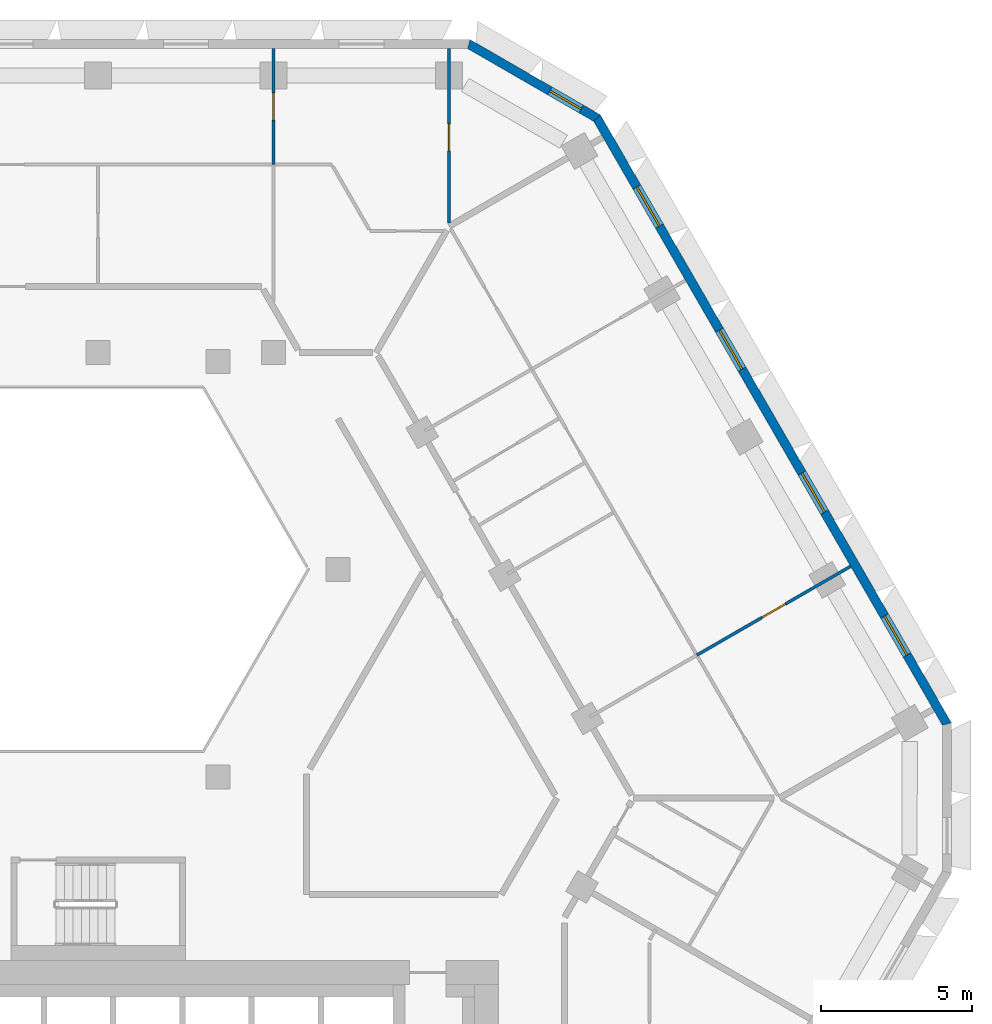
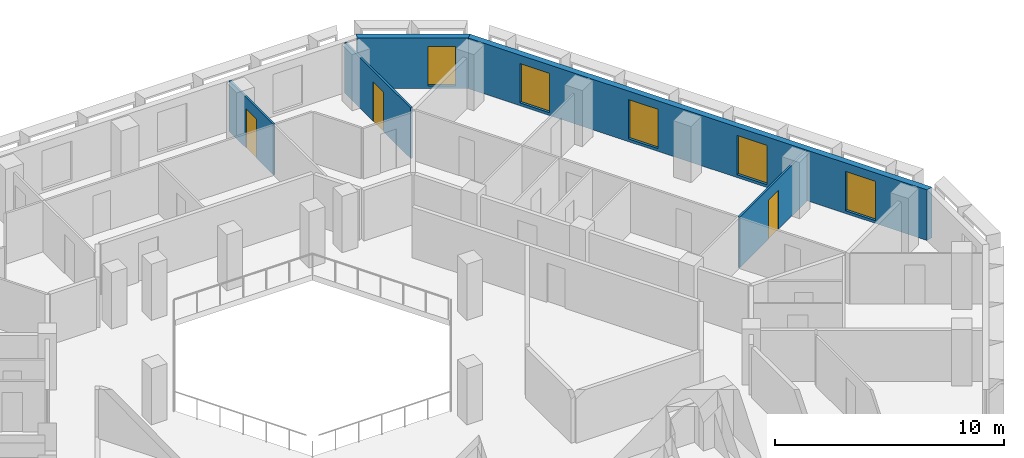
# One storey, part 9 of 15: 5 walls, 5 windows, 3 doors, 8 openings.
"""IFC4 building model written with IfcOpenShell, lengths in metres."""

from ifc_helpers import new_model, si_unit, direction, frame, frame_2d, origin, place, context, subcontext, project, spatial, polyline, rectangle, outline, extrude, material, layer, layer_set, type_object, element, fill, save


model = new_model("IFC4")

# Units and contexts
model_context = context("Model", 3, precision=1e-05, world=origin(), true_north=direction((0.0, 1.0)))
body_context = subcontext(model_context, "Body", "Model", "MODEL_VIEW")
ifc_project = project(units=[si_unit("LENGTHUNIT", "METRE"), si_unit("AREAUNIT", "SQUARE_METRE"), si_unit("VOLUMEUNIT", "CUBIC_METRE"), si_unit("PLANEANGLEUNIT", "RADIAN"), si_unit("MASSUNIT", "GRAM", prefix="KILO")], contexts=[model_context])

# Site, building, storey
site_placement = place(None, origin())
site = spatial("IfcSite", under=ifc_project, at=site_placement, CompositionType="ELEMENT")
building_placement = place(site_placement, origin())
building = spatial("IfcBuilding", under=site, at=building_placement, Name="Beryl Residences", CompositionType="ELEMENT")
storey_placement = place(building_placement, frame((0.0, 0.0, 141.60009765625)))
storey = spatial("IfcBuildingStorey", under=building, at=storey_placement, Name="L43", CompositionType="ELEMENT", Elevation=141.60009765625)

# Wall, openings, windows
ifc_material_1 = material(Name="Composite metal panel with mineral wool insulation")
ifc_layer_1 = layer(ifc_material_1, 0.300048828125)
ifc_layer_set_1 = layer_set([ifc_layer_1], Name="ES1 pale metal composite panel wall 300 mm")
wall_type_1 = type_object("IfcWallType", Name="ES1 pale metal composite panel wall 300 mm", PredefinedType="SOLIDWALL", material=ifc_layer_set_1)
wall_1_placement = place(storey_placement, frame((28.218017578125, 2.824951171875, 0.0), z_axis=(0.0, 0.0, 1.0), x_axis=(-0.500020536353, 0.866013546791, 0.0)))
wall_1 = element("IfcWall", 1, at=wall_1_placement, inside=storey, type_object=wall_type_1, Name="ES1 external wall L43 NE", PredefinedType="SOLIDWALL", context=body_context, shape_type="SweptSolid", body=[
    extrude(outline(polyline([(0.0, -0.14990234375), (23.3251953125, -0.14990234375), (23.244873046875, 0.14990234375), (0.080322265625, 0.14990234375), (0.0, -0.14990234375)])), origin(), (0.0, 0.0, 1.0), 2.699951171875),
])
opening_1_placement = place(wall_1_placement, frame((2.68505859375, 0.0, 0.14990234375)))
opening_1 = element("IfcOpeningElement", 2, at=opening_1_placement, cuts=wall_1, Name="Opening W1", PredefinedType="OPENING", context=body_context, shape_type="SweptSolid", body=[
    extrude(rectangle(XDim=1.5, YDim=2.10009765625, at=frame_2d((0.75, 1.050048828125))), frame((0.0, 0.159912109375, 0.0), z_axis=(0.0, -1.0, 0.0), x_axis=(1.0, 0.0, 0.0)), (0.0, 0.0, 1.0), 0.320068359375),
])
opening_2_placement = place(wall_1_placement, frame((8.169921875, 0.0, 0.14990234375)))
opening_2 = element("IfcOpeningElement", 3, at=opening_2_placement, cuts=wall_1, Name="Opening W1", PredefinedType="OPENING", context=body_context, shape_type="SweptSolid", body=[
    extrude(rectangle(XDim=1.5, YDim=2.10009765625, at=frame_2d((0.75, 1.050048828125))), frame((0.0, 0.159912109375, 0.0), z_axis=(0.0, -1.0, 0.0), x_axis=(1.0, 0.0, 0.0)), (0.0, 0.0, 1.0), 0.320068359375),
])
opening_3_placement = place(wall_1_placement, frame((13.655029296875, 0.0, 0.14990234375)))
opening_3 = element("IfcOpeningElement", 4, at=opening_3_placement, cuts=wall_1, Name="Opening W1", PredefinedType="OPENING", context=body_context, shape_type="SweptSolid", body=[
    extrude(rectangle(XDim=1.5, YDim=2.10009765625, at=frame_2d((0.75, 1.050048828125))), frame((0.0, 0.159912109375, 0.0), z_axis=(0.0, -1.0, 0.0), x_axis=(1.0, 0.0, 0.0)), (0.0, 0.0, 1.0), 0.320068359375),
])
opening_4_placement = place(wall_1_placement, frame((19.139892578125, 0.0, 0.14990234375)))
opening_4 = element("IfcOpeningElement", 5, at=opening_4_placement, cuts=wall_1, Name="Opening W1", PredefinedType="OPENING", context=body_context, shape_type="SweptSolid", body=[
    extrude(rectangle(XDim=1.5, YDim=2.10009765625, at=frame_2d((0.75, 1.050048828125))), frame((0.0, 0.159912109375, 0.0), z_axis=(0.0, -1.0, 0.0), x_axis=(1.0, 0.0, 0.0)), (0.0, 0.0, 1.0), 0.320068359375),
])
ifc_material_2 = material(Name="Aluminium and clear glass", Category="aluminium")
window_type_1 = type_object("IfcWindowType", Name="W1 cell window 1500 x 2100 mm", PartitioningType="SINGLE_PANEL", PredefinedType="WINDOW", material=ifc_material_2)
window_1_placement = place(opening_1_placement, origin())
window_1 = element("IfcWindow", 6, at=window_1_placement, inside=storey, type_object=window_type_1, Name="W1 window L43 NE 2", OverallHeight=2.10009765625, OverallWidth=1.5, PartitioningType="SINGLE_PANEL", PredefinedType="WINDOW", context=body_context, shape_type="SweptSolid", body=[
    extrude(rectangle(XDim=1.5, YDim=2.10009765625, at=frame_2d((0.75, 1.050048828125))), frame((0.0, 0.030029296875, 0.0), z_axis=(0.0, -1.0, 0.0), x_axis=(1.0, 0.0, 0.0)), (0.0, 0.0, 1.0), 0.06005859375),
])
fill(opening_1, window_1)
window_2_placement = place(opening_2_placement, origin())
window_2 = element("IfcWindow", 7, at=window_2_placement, inside=storey, type_object=window_type_1, Name="W1 window L43 NE 4", OverallHeight=2.10009765625, OverallWidth=1.5, PartitioningType="SINGLE_PANEL", PredefinedType="WINDOW", context=body_context, shape_type="SweptSolid", body=[
    extrude(rectangle(XDim=1.5, YDim=2.10009765625, at=frame_2d((0.75, 1.050048828125))), frame((0.0, 0.030029296875, 0.0), z_axis=(0.0, -1.0, 0.0), x_axis=(1.0, 0.0, 0.0)), (0.0, 0.0, 1.0), 0.06005859375),
])
fill(opening_2, window_2)
window_3_placement = place(opening_3_placement, origin())
window_3 = element("IfcWindow", 8, at=window_3_placement, inside=storey, type_object=window_type_1, Name="W1 window L43 NE 6", OverallHeight=2.10009765625, OverallWidth=1.5, PartitioningType="SINGLE_PANEL", PredefinedType="WINDOW", context=body_context, shape_type="SweptSolid", body=[
    extrude(rectangle(XDim=1.5, YDim=2.10009765625, at=frame_2d((0.75, 1.050048828125))), frame((0.0, 0.030029296875, 0.0), z_axis=(0.0, -1.0, 0.0), x_axis=(1.0, 0.0, 0.0)), (0.0, 0.0, 1.0), 0.06005859375),
])
fill(opening_3, window_3)
window_4_placement = place(opening_4_placement, origin())
window_4 = element("IfcWindow", 9, at=window_4_placement, inside=storey, type_object=window_type_1, Name="W1 window L43 NE 8", OverallHeight=2.10009765625, OverallWidth=1.5, PartitioningType="SINGLE_PANEL", PredefinedType="WINDOW", context=body_context, shape_type="SweptSolid", body=[
    extrude(rectangle(XDim=1.5, YDim=2.10009765625, at=frame_2d((0.75, 1.050048828125))), frame((0.0, 0.030029296875, 0.0), z_axis=(0.0, -1.0, 0.0), x_axis=(1.0, 0.0, 0.0)), (0.0, 0.0, 1.0), 0.06005859375),
])
fill(opening_4, window_4)

# Wall, opening, window
wall_2_placement = place(storey_placement, frame((16.610107421875, 22.969970703125, 0.0), z_axis=(0.0, 0.0, 1.0), x_axis=(-0.866022959057, 0.500004234368, 0.0)))
wall_2 = element("IfcWall", 10, at=wall_2_placement, inside=storey, type_object=wall_type_1, Name="ES1 external wall L43 NE-N", PredefinedType="SOLIDWALL", context=body_context, shape_type="SweptSolid", body=[
    extrude(outline(polyline([(0.0, -0.14990234375), (5.0, -0.14990234375), (4.919677734375, 0.14990234375), (0.080322265625, 0.14990234375), (0.0, -0.14990234375)])), origin(), (0.0, 0.0, 1.0), 2.699951171875),
])
opening_5_placement = place(wall_2_placement, frame((0.64990234375, 0.0, 0.14990234375)))
opening_5 = element("IfcOpeningElement", 11, at=opening_5_placement, cuts=wall_2, Name="Opening W2", PredefinedType="OPENING", context=body_context, shape_type="SweptSolid", body=[
    extrude(rectangle(XDim=1.199951171875, YDim=2.10009765625, at=frame_2d((0.60009765625, 1.050048828125))), frame((0.0, 0.159912109375, 0.0), z_axis=(0.0, -1.0, 0.0), x_axis=(1.0, 0.0, 0.0)), (0.0, 0.0, 1.0), 0.320068359375),
])
ifc_material_3 = material(Name="Aluminium and clear glass", Category="aluminium")
window_type_2 = type_object("IfcWindowType", Name="W2 chamfer window 1200 x 2100 mm", PartitioningType="SINGLE_PANEL", PredefinedType="WINDOW", material=ifc_material_3)
window_5_placement = place(opening_5_placement, origin())
window_5 = element("IfcWindow", 12, at=window_5_placement, inside=storey, type_object=window_type_2, Name="W2 window L43 NE-N 1", OverallHeight=2.10009765625, OverallWidth=1.199951171875, PartitioningType="SINGLE_PANEL", PredefinedType="WINDOW", context=body_context, shape_type="SweptSolid", body=[
    extrude(rectangle(XDim=1.199951171875, YDim=2.10009765625, at=frame_2d((0.60009765625, 1.050048828125))), frame((0.0, 0.030029296875, 0.0), z_axis=(0.0, -1.0, 0.0), x_axis=(1.0, 0.0, 0.0)), (0.0, 0.0, 1.0), 0.06005859375),
])
fill(opening_5, window_5)

# Wall, opening, door
ifc_material_4 = material(Name="Gypsum board partition on steel studs", Category="steel")
ifc_layer_2 = layer(ifc_material_4, 0.10009765625)
ifc_layer_set_2 = layer_set([ifc_layer_2], Name="PT1 partition 100 mm gypsum board on steel studs")
wall_type_2 = type_object("IfcWallType", Name="PT1 partition 100 mm gypsum board on steel studs", PredefinedType="PARTITIONING", material=ifc_layer_set_2)
wall_3_placement = place(storey_placement, frame((11.662109375, 19.513916015625, 0.0), z_axis=(0.0, 0.0, 1.0), x_axis=(0.0, 1.0, 0.0)))
wall_3 = element("IfcWall", 13, at=wall_3_placement, inside=storey, type_object=wall_type_2, Name="Wall PT1 L43 040", PredefinedType="PARTITIONING", context=body_context, shape_type="SweptSolid", body=[
    extrude(rectangle(XDim=5.7861328125, YDim=0.10009765625, at=frame_2d((2.89306640625, 0.0))), origin(), (0.0, 0.0, 1.0), 2.699951171875),
])
opening_6_placement = place(wall_3_placement, frame((2.385009765625, 0.0, 0.0)))
opening_6 = element("IfcOpeningElement", 14, at=opening_6_placement, cuts=wall_3, Name="Opening D1334", PredefinedType="OPENING", context=body_context, shape_type="SweptSolid", body=[
    extrude(rectangle(XDim=0.89990234375, YDim=2.10009765625, at=frame_2d((0.449951171875, 1.050048828125))), frame((0.0, 0.06005859375, 0.0), z_axis=(0.0, -1.0, 0.0), x_axis=(1.0, 0.0, 0.0)), (0.0, 0.0, 1.0), 0.1201171875),
])
ifc_material_5 = material(Name="Timber door leaf", Category="wood")
door_type = type_object("IfcDoorType", Name="D2 room door 900 x 2100 mm", OperationType="SINGLE_SWING_LEFT", PredefinedType="DOOR", material=ifc_material_5)
door_1_placement = place(opening_6_placement, origin())
door_1 = element("IfcDoor", 15, at=door_1_placement, inside=storey, type_object=door_type, Name="Door D1334 L43 001", OperationType="SINGLE_SWING_RIGHT", OverallHeight=2.10009765625, OverallWidth=0.89990234375, PredefinedType="DOOR", context=body_context, shape_type="SweptSolid", body=[
    extrude(rectangle(XDim=0.89990234375, YDim=2.10009765625, at=frame_2d((0.449951171875, 1.050048828125))), frame((0.0, 0.02490234375, 0.0), z_axis=(0.0, -1.0, 0.0), x_axis=(1.0, 0.0, 0.0)), (0.0, 0.0, 1.0), 0.050048828125),
])
fill(opening_6, door_1)

wall_4_placement = place(storey_placement, frame((19.889892578125, 5.14990234375, 0.0), z_axis=(0.0, 0.0, 1.0), x_axis=(0.865993310977, 0.500055582255, 0.0)))
wall_4 = element("IfcWall", 16, at=wall_4_placement, inside=storey, type_object=wall_type_2, Name="Wall PT1 L43 053", PredefinedType="PARTITIONING", context=body_context, shape_type="SweptSolid", body=[
    extrude(rectangle(XDim=5.899658203125, YDim=0.10009765625, at=frame_2d((2.94970703125, 0.0))), origin(), (0.0, 0.0, 1.0), 2.699951171875),
])
opening_7_placement = place(wall_4_placement, frame((2.5, 0.0, 0.0)))
opening_7 = element("IfcOpeningElement", 17, at=opening_7_placement, cuts=wall_4, Name="Opening D1323", PredefinedType="OPENING", context=body_context, shape_type="SweptSolid", body=[
    extrude(rectangle(XDim=0.89990234375, YDim=2.10009765625, at=frame_2d((0.449951171875, 1.050048828125))), frame((0.0, 0.06005859375, 0.0), z_axis=(0.0, -1.0, 0.0), x_axis=(1.0, 0.0, 0.0)), (0.0, 0.0, 1.0), 0.1201171875),
])
door_2_placement = place(opening_7_placement, origin())
door_2 = element("IfcDoor", 18, at=door_2_placement, inside=storey, type_object=door_type, Name="Door D1323 L43 001", OperationType="SINGLE_SWING_LEFT", OverallHeight=2.10009765625, OverallWidth=0.89990234375, PredefinedType="DOOR", context=body_context, shape_type="SweptSolid", body=[
    extrude(rectangle(XDim=0.89990234375, YDim=2.10009765625, at=frame_2d((0.449951171875, 1.050048828125))), frame((0.0, 0.02490234375, 0.0), z_axis=(0.0, -1.0, 0.0), x_axis=(1.0, 0.0, 0.0)), (0.0, 0.0, 1.0), 0.050048828125),
])
fill(opening_7, door_2)

wall_5_placement = place(storey_placement, frame((5.8310546875, 21.446044921875, 0.0), z_axis=(0.0, 0.0, 1.0), x_axis=(0.0, 1.0, 0.0)))
wall_5 = element("IfcWall", 19, at=wall_5_placement, inside=storey, type_object=wall_type_2, Name="Wall PT1 L43 055", PredefinedType="PARTITIONING", context=body_context, shape_type="SweptSolid", body=[
    extrude(rectangle(XDim=3.85400390625, YDim=0.10009765625, at=frame_2d((1.927001953125, 0.0))), origin(), (0.0, 0.0, 1.0), 2.699951171875),
])
opening_8_placement = place(wall_5_placement, frame((1.47705078125, 0.0, 0.0)))
opening_8 = element("IfcOpeningElement", 20, at=opening_8_placement, cuts=wall_5, Name="Opening D1332", PredefinedType="OPENING", context=body_context, shape_type="SweptSolid", body=[
    extrude(rectangle(XDim=0.89990234375, YDim=2.10009765625, at=frame_2d((0.449951171875, 1.050048828125))), frame((0.0, 0.06005859375, 0.0), z_axis=(0.0, -1.0, 0.0), x_axis=(1.0, 0.0, 0.0)), (0.0, 0.0, 1.0), 0.1201171875),
])
door_3_placement = place(opening_8_placement, origin())
door_3 = element("IfcDoor", 21, at=door_3_placement, inside=storey, type_object=door_type, Name="Door D1332 L43 001", OperationType="SINGLE_SWING_RIGHT", OverallHeight=2.10009765625, OverallWidth=0.89990234375, PredefinedType="DOOR", context=body_context, shape_type="SweptSolid", body=[
    extrude(rectangle(XDim=0.89990234375, YDim=2.10009765625, at=frame_2d((0.449951171875, 1.050048828125))), frame((0.0, 0.02490234375, 0.0), z_axis=(0.0, -1.0, 0.0), x_axis=(1.0, 0.0, 0.0)), (0.0, 0.0, 1.0), 0.050048828125),
])
fill(opening_8, door_3)

save(model, "model.ifc")
